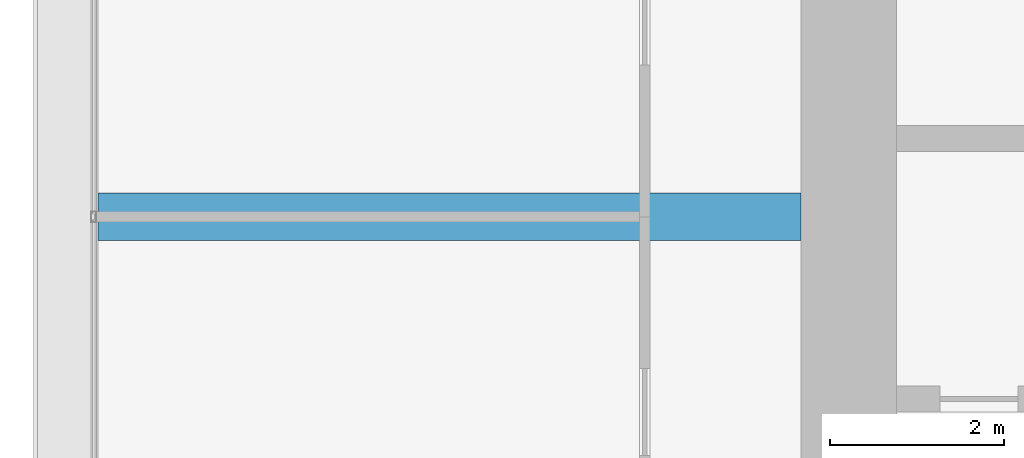
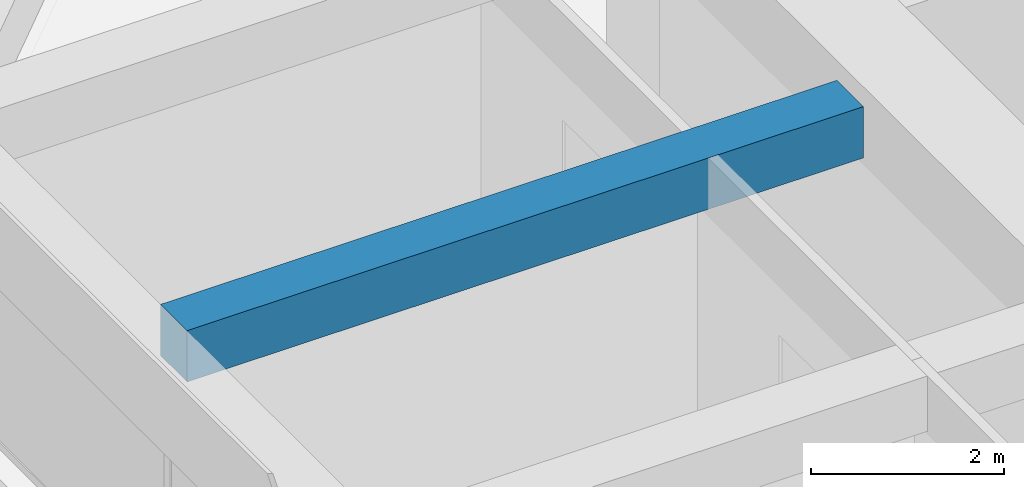
# One storey, part 17 of 44: 1 beam.
"""IFC4 building model written with IfcOpenShell, lengths in metres."""

from ifc_helpers import new_model, si_unit, direction, frame, origin, origin_2d, place, context, subcontext, project, spatial, rectangle, extrude, material, material_profile, profile_set, type_object, element, save


model = new_model("IFC4")

# Units and contexts
model_context = context("Model", 3, precision=1e-05, world=origin(), true_north=direction((0.0, 1.0)))
body_context = subcontext(model_context, "Body", "Model", "MODEL_VIEW")
ifc_project = project(units=[si_unit("LENGTHUNIT", "METRE"), si_unit("AREAUNIT", "SQUARE_METRE"), si_unit("VOLUMEUNIT", "CUBIC_METRE"), si_unit("PLANEANGLEUNIT", "RADIAN"), si_unit("MASSUNIT", "GRAM", prefix="KILO")], contexts=[model_context])

# Site, building, storey
site_placement = place(None, origin())
site = spatial("IfcSite", under=ifc_project, at=site_placement, CompositionType="ELEMENT")
building_placement = place(site_placement, origin())
building = spatial("IfcBuilding", under=site, at=building_placement, Name="Zorevar Civic Tower", CompositionType="ELEMENT")
storey_placement = place(building_placement, frame((0.0, 0.0, 287.39990234375)))
storey = spatial("IfcBuildingStorey", under=building, at=storey_placement, Name="L70", CompositionType="ELEMENT", Elevation=287.39990234375)

# Beam
ifc_material = material(Name="Concrete C50/60", Category="concrete")
ifc_material_profile = material_profile(ifc_material, rectangle(XDim=0.550048828125, YDim=0.64990234375, at=origin_2d()), Name="RC 550x650")
ifc_profile_set = profile_set([ifc_material_profile], Name="Concrete C50/60")
beam_type = type_object("IfcBeamType", Name="Beam RC 550x650", PredefinedType="BEAM", material=ifc_profile_set)
beam_placement = place(storey_placement, frame((9.35009765625, 31.5, 3.425048828125), z_axis=(1.0, 0.0, 0.0), x_axis=(0.0, 1.0, 0.0)))
element("IfcBeam", 1, at=beam_placement, inside=storey, type_object=beam_type, Name="Secondary beam L71", PredefinedType="BEAM", context=body_context, shape_type="SweptSolid", body=[
    extrude(rectangle(XDim=0.550048828125, YDim=0.64990234375, at=origin_2d()), origin(), (0.0, 0.0, 1.0), 8.099853515625),
])

save(model, "model.ifc")
